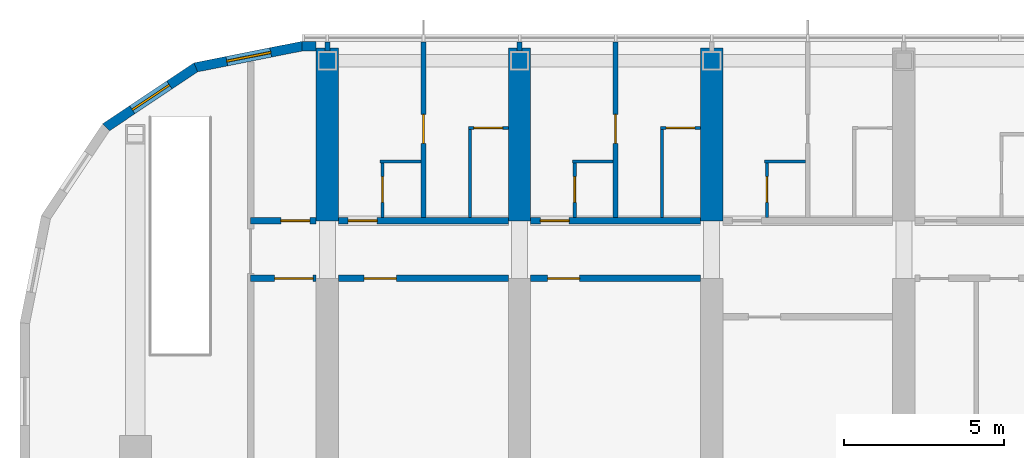
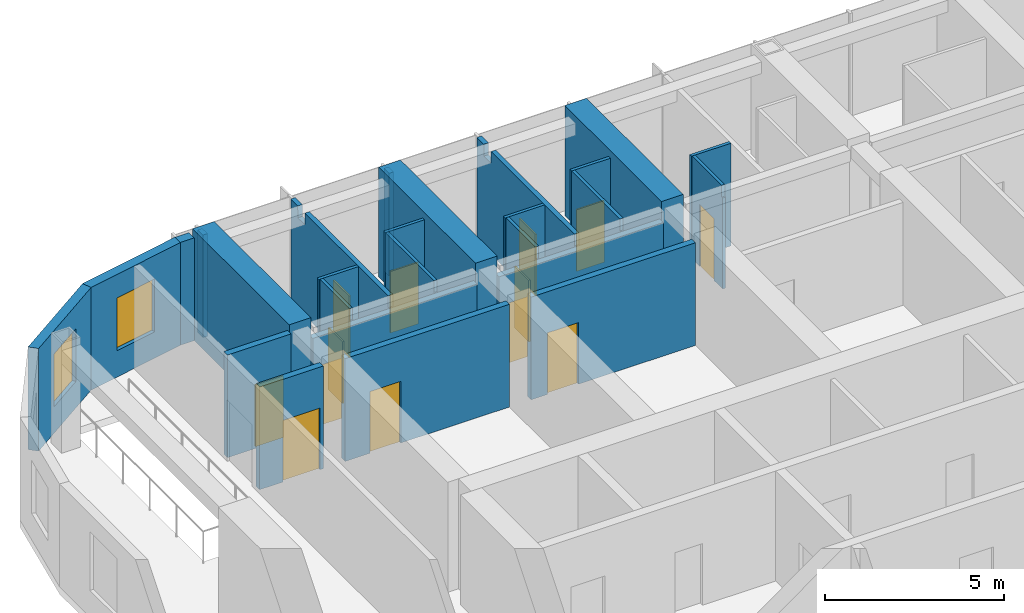
# One storey, part 16 of 24: 26 walls, 13 doors, 2 windows, 15 openings.
"""IFC4 building model written with IfcOpenShell, lengths in metres."""

from ifc_helpers import new_model, si_unit, direction, frame, frame_2d, origin, place, context, subcontext, project, spatial, polyline, rectangle, outline, extrude, material, layer, layer_set, type_object, element, fill, save


model = new_model("IFC4")

# Units and contexts
model_context = context("Model", 3, precision=1e-05, world=origin(), true_north=direction((0.0, 1.0)))
body_context = subcontext(model_context, "Body", "Model", "MODEL_VIEW")
ifc_project = project(units=[si_unit("LENGTHUNIT", "METRE"), si_unit("AREAUNIT", "SQUARE_METRE"), si_unit("VOLUMEUNIT", "CUBIC_METRE"), si_unit("PLANEANGLEUNIT", "RADIAN"), si_unit("MASSUNIT", "GRAM", prefix="KILO")], contexts=[model_context])

# Site, building, storey
site_placement = place(None, origin())
site = spatial("IfcSite", under=ifc_project, at=site_placement, CompositionType="ELEMENT")
building_placement = place(site_placement, origin())
building = spatial("IfcBuilding", under=site, at=building_placement, Name="Orbita Commons", CompositionType="ELEMENT")
storey_placement = place(building_placement, frame((0.0, 0.0, 235.300048828125)))
storey = spatial("IfcBuildingStorey", under=building, at=storey_placement, Name="L58", CompositionType="ELEMENT", Elevation=235.300048828125)

# Wall, opening, door
ifc_material_1 = material(Name="Concrete blockwork", Category="masonry")
ifc_layer_1 = layer(ifc_material_1, 0.199951171875)
ifc_layer_set_1 = layer_set([ifc_layer_1], Name="Concrete blockwork")
wall_type_1 = type_object("IfcWallType", Name="Corridor wall 200 blockwork", PredefinedType="SOLIDWALL", material=ifc_layer_set_1)
wall_1_placement = place(storey_placement, frame((15.60009765625, 47.39990234375, 0.0), z_axis=(0.0, 0.0, 1.0), x_axis=(1.0, 0.0, 0.0)))
wall_1 = element("IfcWall", 1, at=wall_1_placement, inside=storey, type_object=wall_type_1, Name="Corridor wall 200 blockwork L58", PredefinedType="SOLIDWALL", context=body_context, shape_type="SweptSolid", body=[
    extrude(rectangle(XDim=2.0498046875, YDim=0.199951171875, at=frame_2d((1.02490234375, 0.0))), origin(), (0.0, 0.0, 1.0), 3.5),
])
opening_1_placement = place(wall_1_placement, frame((0.949951171875, 0.0, 0.0)))
opening_1 = element("IfcOpeningElement", 2, at=opening_1_placement, cuts=wall_1, Name="Opening D05", PredefinedType="OPENING", context=body_context, shape_type="SweptSolid", body=[
    extrude(rectangle(XDim=0.89990234375, YDim=2.10009765625, at=frame_2d((0.449951171875, 1.050048828125))), frame((0.0, 0.10986328125, 0.0), z_axis=(0.0, -1.0, 0.0), x_axis=(1.0, 0.0, 0.0)), (0.0, 0.0, 1.0), 0.219970703125),
])
ifc_material_2 = material(Name="Steel-faced fire door leaf", Category="steel")
door_type_1 = type_object("IfcDoorType", Name="Service door 20 min 900x2100", OperationType="SINGLE_SWING_LEFT", PredefinedType="DOOR", material=ifc_material_2)
door_1_placement = place(opening_1_placement, origin())
door_1 = element("IfcDoor", 3, at=door_1_placement, inside=storey, type_object=door_type_1, Name="Linen store L58-KWN door", OperationType="SINGLE_SWING_LEFT", OverallHeight=2.10009765625, OverallWidth=0.89990234375, PredefinedType="DOOR", context=body_context, shape_type="SweptSolid", body=[
    extrude(rectangle(XDim=0.89990234375, YDim=2.10009765625, at=frame_2d((0.449951171875, 1.050048828125))), frame((0.0, 0.02490234375, 0.0), z_axis=(0.0, -1.0, 0.0), x_axis=(1.0, 0.0, 0.0)), (0.0, 0.0, 1.0), 0.050048828125),
])
fill(opening_1, door_1)

wall_2_placement = place(storey_placement, frame((18.35009765625, 47.39990234375, 0.0), z_axis=(0.0, 0.0, 1.0), x_axis=(1.0, 0.0, 0.0)))
wall_2 = element("IfcWall", 4, at=wall_2_placement, inside=storey, type_object=wall_type_1, Name="Corridor wall 200 blockwork L58", PredefinedType="SOLIDWALL", context=body_context, shape_type="SweptSolid", body=[
    extrude(outline(polyline([(0.0, 0.0), (5.2998046875, 0.0), (5.300048828125, 3.099853515625), (0.0, 3.099853515625), (0.0, 0.0)])), frame((0.0, 0.10009765625, 0.0), z_axis=(0.0, -1.0, 0.0), x_axis=(1.0, 0.0, 0.0)), (0.0, 0.0, 1.0), 0.199951171875),
])
opening_2_placement = place(wall_2_placement, frame((0.300048828125, 0.0, 0.0)))
opening_2 = element("IfcOpeningElement", 5, at=opening_2_placement, cuts=wall_2, Name="Opening D11", PredefinedType="OPENING", context=body_context, shape_type="SweptSolid", body=[
    extrude(rectangle(XDim=0.89990234375, YDim=2.10009765625, at=frame_2d((0.449951171875, 1.050048828125))), frame((0.0, 0.10986328125, 0.0), z_axis=(0.0, -1.0, 0.0), x_axis=(1.0, 0.0, 0.0)), (0.0, 0.0, 1.0), 0.219970703125),
])
ifc_material_3 = material(Name="Steel-faced fire door leaf", Category="steel")
door_type_2 = type_object("IfcDoorType", Name="Corridor door 20 min 900x2100", OperationType="SINGLE_SWING_LEFT", PredefinedType="DOOR", material=ifc_material_3)
door_2_placement = place(opening_2_placement, origin())
door_2 = element("IfcDoor", 6, at=door_2_placement, inside=storey, type_object=door_type_2, Name="Guest suite sitting room and kitchenette L58-N00 entrance door", OperationType="SINGLE_SWING_LEFT", OverallHeight=2.10009765625, OverallWidth=0.89990234375, PredefinedType="DOOR", context=body_context, shape_type="SweptSolid", body=[
    extrude(rectangle(XDim=0.89990234375, YDim=2.10009765625, at=frame_2d((0.449951171875, 1.050048828125))), frame((0.0, 0.02490234375, 0.0), z_axis=(0.0, -1.0, 0.0), x_axis=(1.0, 0.0, 0.0)), (0.0, 0.0, 1.0), 0.050048828125),
])
fill(opening_2, door_2)

wall_3_placement = place(storey_placement, frame((24.35009765625, 47.39990234375, 0.0), z_axis=(0.0, 0.0, 1.0), x_axis=(1.0, 0.0, 0.0)))
wall_3 = element("IfcWall", 7, at=wall_3_placement, inside=storey, type_object=wall_type_1, Name="Corridor wall 200 blockwork L58", PredefinedType="SOLIDWALL", context=body_context, shape_type="SweptSolid", body=[
    extrude(outline(polyline([(0.0, 0.0), (5.2998046875, 0.0), (5.300048828125, 3.099853515625), (0.0, 3.099853515625), (0.0, 0.0)])), frame((0.0, 0.10009765625, 0.0), z_axis=(0.0, -1.0, 0.0), x_axis=(1.0, 0.0, 0.0)), (0.0, 0.0, 1.0), 0.199951171875),
])
opening_3_placement = place(wall_3_placement, frame((0.300048828125, 0.0, 0.0)))
opening_3 = element("IfcOpeningElement", 8, at=opening_3_placement, cuts=wall_3, Name="Opening D11", PredefinedType="OPENING", context=body_context, shape_type="SweptSolid", body=[
    extrude(rectangle(XDim=0.89990234375, YDim=2.10009765625, at=frame_2d((0.449951171875, 1.050048828125))), frame((0.0, 0.10986328125, 0.0), z_axis=(0.0, -1.0, 0.0), x_axis=(1.0, 0.0, 0.0)), (0.0, 0.0, 1.0), 0.219970703125),
])
door_3_placement = place(opening_3_placement, origin())
door_3 = element("IfcDoor", 9, at=door_3_placement, inside=storey, type_object=door_type_2, Name="Guest suite sitting room and kitchenette L58-N02 entrance door", OperationType="SINGLE_SWING_LEFT", OverallHeight=2.10009765625, OverallWidth=0.89990234375, PredefinedType="DOOR", context=body_context, shape_type="SweptSolid", body=[
    extrude(rectangle(XDim=0.89990234375, YDim=2.10009765625, at=frame_2d((0.449951171875, 1.050048828125))), frame((0.0, 0.02490234375, 0.0), z_axis=(0.0, -1.0, 0.0), x_axis=(1.0, 0.0, 0.0)), (0.0, 0.0, 1.0), 0.050048828125),
])
fill(opening_3, door_3)

ifc_material_4 = material(Name="Hollow concrete block 200", Category="concrete")
ifc_layer_2 = layer(ifc_material_4, 0.199951171875)
ifc_layer_set_2 = layer_set([ifc_layer_2], Name="Hollow concrete block 200")
wall_type_2 = type_object("IfcWallType", Name="Corridor wall 200 hollow concrete block", PredefinedType="SOLIDWALL", material=ifc_layer_set_2)
wall_4_placement = place(storey_placement, frame((15.60009765625, 45.60009765625, 0.0), z_axis=(0.0, 0.0, 1.0), x_axis=(1.0, 0.0, 0.0)))
wall_4 = element("IfcWall", 10, at=wall_4_placement, inside=storey, type_object=wall_type_2, Name="Corridor wall 200 hollow concrete block L58", PredefinedType="SOLIDWALL", context=body_context, shape_type="SweptSolid", body=[
    extrude(rectangle(XDim=2.0498046875, YDim=0.199951171875, at=frame_2d((1.02490234375, 0.0))), origin(), (0.0, 0.0, 1.0), 3.5),
])
opening_4_placement = place(wall_4_placement, frame((0.75, 0.0, 0.0)))
opening_4 = element("IfcOpeningElement", 11, at=opening_4_placement, cuts=wall_4, Name="Opening D12", PredefinedType="OPENING", context=body_context, shape_type="SweptSolid", body=[
    extrude(rectangle(XDim=1.199951171875, YDim=2.10009765625, at=frame_2d((0.60009765625, 1.050048828125))), frame((0.0, 0.10986328125, 0.0), z_axis=(0.0, -1.0, 0.0), x_axis=(1.0, 0.0, 0.0)), (0.0, 0.0, 1.0), 0.219970703125),
])
ifc_material_5 = material(Name="Steel-faced fire door leaf", Category="steel")
door_type_3 = type_object("IfcDoorType", Name="Double corridor door 20 min 1200x2100", OperationType="DOUBLE_DOOR_SINGLE_SWING", PredefinedType="DOOR", material=ifc_material_5)
door_4_placement = place(opening_4_placement, origin())
door_4 = element("IfcDoor", 12, at=door_4_placement, inside=storey, type_object=door_type_3, Name="Cross corridor doors", OperationType="DOUBLE_DOOR_SINGLE_SWING", OverallHeight=2.10009765625, OverallWidth=1.199951171875, PredefinedType="DOOR", context=body_context, shape_type="SweptSolid", body=[
    extrude(rectangle(XDim=1.199951171875, YDim=2.10009765625, at=frame_2d((0.60009765625, 1.050048828125))), frame((0.0, 0.02490234375, 0.0), z_axis=(0.0, -1.0, 0.0), x_axis=(1.0, 0.0, 0.0)), (0.0, 0.0, 1.0), 0.050048828125),
])
fill(opening_4, door_4)

wall_5_placement = place(storey_placement, frame((18.35009765625, 45.60009765625, 0.0), z_axis=(0.0, 0.0, 1.0), x_axis=(1.0, 0.0, 0.0)))
wall_5 = element("IfcWall", 13, at=wall_5_placement, inside=storey, type_object=wall_type_2, Name="Corridor wall 200 hollow concrete block L58", PredefinedType="SOLIDWALL", context=body_context, shape_type="SweptSolid", body=[
    extrude(rectangle(XDim=5.2998046875, YDim=0.199951171875, at=frame_2d((2.64990234375, 0.0))), origin(), (0.0, 0.0, 1.0), 3.5),
])
opening_5_placement = place(wall_5_placement, frame((0.800048828125, 0.0, 0.0)))
opening_5 = element("IfcOpeningElement", 14, at=opening_5_placement, cuts=wall_5, Name="Opening D06", PredefinedType="OPENING", context=body_context, shape_type="SweptSolid", body=[
    extrude(rectangle(XDim=1.0, YDim=2.10009765625, at=frame_2d((0.5, 1.050048828125))), frame((0.0, 0.10986328125, 0.0), z_axis=(0.0, -1.0, 0.0), x_axis=(1.0, 0.0, 0.0)), (0.0, 0.0, 1.0), 0.219970703125),
])
ifc_material_6 = material(Name="Steel-faced fire door leaf", Category="steel")
door_type_4 = type_object("IfcDoorType", Name="Corridor door 20 min 1000x2100", OperationType="SINGLE_SWING_LEFT", PredefinedType="DOOR", material=ifc_material_6)
door_5_placement = place(opening_5_placement, origin())
door_5 = element("IfcDoor", 15, at=door_5_placement, inside=storey, type_object=door_type_4, Name="Refuse and recycling room L58-BDN18 door", OperationType="SINGLE_SWING_LEFT", OverallHeight=2.10009765625, OverallWidth=1.0, PredefinedType="DOOR", context=body_context, shape_type="SweptSolid", body=[
    extrude(rectangle(XDim=1.0, YDim=2.10009765625, at=frame_2d((0.5, 1.050048828125))), frame((0.0, 0.02490234375, 0.0), z_axis=(0.0, -1.0, 0.0), x_axis=(1.0, 0.0, 0.0)), (0.0, 0.0, 1.0), 0.050048828125),
])
fill(opening_5, door_5)

wall_6_placement = place(storey_placement, frame((24.35009765625, 45.60009765625, 0.0), z_axis=(0.0, 0.0, 1.0), x_axis=(1.0, 0.0, 0.0)))
wall_6 = element("IfcWall", 16, at=wall_6_placement, inside=storey, type_object=wall_type_2, Name="Corridor wall 200 hollow concrete block L58", PredefinedType="SOLIDWALL", context=body_context, shape_type="SweptSolid", body=[
    extrude(rectangle(XDim=5.2998046875, YDim=0.199951171875, at=frame_2d((2.64990234375, 0.0))), origin(), (0.0, 0.0, 1.0), 3.5),
])
opening_6_placement = place(wall_6_placement, frame((0.52490234375, 0.0, 0.0)))
opening_6 = element("IfcOpeningElement", 17, at=opening_6_placement, cuts=wall_6, Name="Opening D06", PredefinedType="OPENING", context=body_context, shape_type="SweptSolid", body=[
    extrude(rectangle(XDim=1.0, YDim=2.10009765625, at=frame_2d((0.5, 1.050048828125))), frame((0.0, 0.10986328125, 0.0), z_axis=(0.0, -1.0, 0.0), x_axis=(1.0, 0.0, 0.0)), (0.0, 0.0, 1.0), 0.219970703125),
])
door_6_placement = place(opening_6_placement, origin())
door_6 = element("IfcDoor", 18, at=door_6_placement, inside=storey, type_object=door_type_4, Name="Bulk storage room L58-BDN24 door", OperationType="SINGLE_SWING_LEFT", OverallHeight=2.10009765625, OverallWidth=1.0, PredefinedType="DOOR", context=body_context, shape_type="SweptSolid", body=[
    extrude(rectangle(XDim=1.0, YDim=2.10009765625, at=frame_2d((0.5, 1.050048828125))), frame((0.0, 0.02490234375, 0.0), z_axis=(0.0, -1.0, 0.0), x_axis=(1.0, 0.0, 0.0)), (0.0, 0.0, 1.0), 0.050048828125),
])
fill(opening_6, door_6)

# Walls
ifc_material_7 = material(Name="Concrete C50/60", Category="concrete")
ifc_layer_3 = layer(ifc_material_7, 0.699951171875)
ifc_layer_set_3 = layer_set([ifc_layer_3], Name="Concrete C50/60")
wall_type_3 = type_object("IfcWallType", Name="Cross wall 700 C50/60", PredefinedType="SHEAR", material=ifc_layer_set_3)
for number, where, z_axis, x_axis, name in (
    (19, (18.0, 47.39990234375, 0.0), (0.0, 0.0, 1.0), (0.0, 1.0, 0.0), "Cross wall 4 north outer L58"),
    (20, (24.0, 47.39990234375, 0.0), (0.0, 0.0, 1.0), (0.0, 1.0, 0.0), "Cross wall 5 north outer L58"),
    (21, (30.0, 47.39990234375, 0.0), (0.0, 0.0, 1.0), (0.0, 1.0, 0.0), "Cross wall 6 north outer L58"),
):
    element("IfcWall", number, at=place(storey_placement, frame(where, z_axis=z_axis, x_axis=x_axis)), inside=storey, type_object=wall_type_3, Name=name, PredefinedType="SHEAR", context=body_context, shape_type="SweptSolid", body=[
        extrude(rectangle(XDim=5.400146484375, YDim=0.699951171875, at=frame_2d((2.7001953125, 0.0))), origin(), (0.0, 0.0, 1.0), 3.75),
    ])

# Wall, opening, door
ifc_material_8 = material(Name="Moisture-resistant plasterboard on steel studs", Category="steel")
ifc_layer_4 = layer(ifc_material_8, 0.10009765625)
ifc_layer_set_4 = layer_set([ifc_layer_4], Name="Moisture-resistant plasterboard on steel studs")
wall_type_4 = type_object("IfcWallType", Name="En-suite partition 100", PredefinedType="PARTITIONING", material=ifc_layer_set_4)
wall_7_placement = place(storey_placement, frame((22.39990234375, 50.300048828125, 0.0), z_axis=(0.0, 0.0, 1.0), x_axis=(1.0, 0.0, 0.0)))
wall_7 = element("IfcWall", 22, at=wall_7_placement, inside=storey, type_object=wall_type_4, Name="En-suite partition 100 L58", PredefinedType="PARTITIONING", context=body_context, shape_type="SweptSolid", body=[
    extrude(rectangle(XDim=1.25, YDim=0.10009765625, at=frame_2d((0.625, 0.0))), origin(), (0.0, 0.0, 1.0), 3.5),
])
opening_7_placement = place(wall_7_placement, frame((0.175048828125, 0.0, 0.0)))
opening_7 = element("IfcOpeningElement", 23, at=opening_7_placement, cuts=wall_7, Name="Opening D09", PredefinedType="OPENING", context=body_context, shape_type="SweptSolid", body=[
    extrude(rectangle(XDim=0.89990234375, YDim=2.10009765625, at=frame_2d((0.449951171875, 1.050048828125))), frame((0.0, 0.06005859375, 0.0), z_axis=(0.0, -1.0, 0.0), x_axis=(1.0, 0.0, 0.0)), (0.0, 0.0, 1.0), 0.1201171875),
])
ifc_material_9 = material(Name="Laminated timber door leaf", Category="wood")
door_type_5 = type_object("IfcDoorType", Name="En-suite door 900x2100", OperationType="SINGLE_SWING_RIGHT", PredefinedType="DOOR", material=ifc_material_9)
door_7_placement = place(opening_7_placement, origin())
door_7 = element("IfcDoor", 24, at=door_7_placement, inside=storey, type_object=door_type_5, Name="En-suite L58-N01 door", OperationType="SINGLE_SWING_RIGHT", OverallHeight=2.10009765625, OverallWidth=0.89990234375, PredefinedType="DOOR", context=body_context, shape_type="SweptSolid", body=[
    extrude(rectangle(XDim=0.89990234375, YDim=2.10009765625, at=frame_2d((0.449951171875, 1.050048828125))), frame((0.0, 0.02490234375, 0.0), z_axis=(0.0, -1.0, 0.0), x_axis=(1.0, 0.0, 0.0)), (0.0, 0.0, 1.0), 0.050048828125),
])
fill(opening_7, door_7)

# Walls
wall_8_placement = place(storey_placement, frame((22.449951171875, 50.25, 0.0), z_axis=(0.0, 0.0, 1.0), x_axis=(0.0, -1.0, 0.0)))
element("IfcWall", 25, at=wall_8_placement, inside=storey, type_object=wall_type_4, Name="En-suite partition 100 L58", PredefinedType="PARTITIONING", context=body_context, shape_type="SweptSolid", body=[
    extrude(outline(polyline([(0.0, 0.0), (2.75, 0.0), (2.75, 3.099853515625), (2.701904296875, 3.099853515625), (2.699951171875, 3.5), (0.0, 3.5), (0.0, 0.0)])), frame((0.0, 0.050048828125, 0.0), z_axis=(0.0, -1.0, 0.0), x_axis=(1.0, 0.0, 0.0)), (0.0, 0.0, 1.0), 0.10009765625),
])
wall_9_placement = place(storey_placement, frame((19.64990234375, 49.25, 0.0), z_axis=(0.0, 0.0, 1.0), x_axis=(1.0, 0.0, 0.0)))
element("IfcWall", 26, at=wall_9_placement, inside=storey, type_object=wall_type_4, Name="En-suite partition 100 L58", PredefinedType="PARTITIONING", context=body_context, shape_type="SweptSolid", body=[
    extrude(rectangle(XDim=1.275146484375, YDim=0.10009765625, at=frame_2d((0.6376953125, 0.0))), origin(), (0.0, 0.0, 1.0), 3.5),
])

# Wall, opening, door
wall_10_placement = place(storey_placement, frame((19.72509765625, 49.25, 0.0), z_axis=(0.0, 0.0, 1.0), x_axis=(0.0, -1.0, 0.0)))
wall_10 = element("IfcWall", 27, at=wall_10_placement, inside=storey, type_object=wall_type_4, Name="En-suite partition 100 L58", PredefinedType="PARTITIONING", context=body_context, shape_type="SweptSolid", body=[
    extrude(outline(polyline([(0.0, 0.0), (1.75, 0.0), (1.75, 3.099853515625), (1.701904296875, 3.099853515625), (1.699951171875, 3.5), (0.0, 3.5), (0.0, 0.0)])), frame((0.0, 0.050048828125, 0.0), z_axis=(0.0, -1.0, 0.0), x_axis=(1.0, 0.0, 0.0)), (0.0, 0.0, 1.0), 0.10009765625),
])
opening_8_placement = place(wall_10_placement, frame((0.47509765625, 0.0, 0.0)))
opening_8 = element("IfcOpeningElement", 28, at=opening_8_placement, cuts=wall_10, Name="Opening D16", PredefinedType="OPENING", context=body_context, shape_type="SweptSolid", body=[
    extrude(rectangle(XDim=0.800048828125, YDim=2.10009765625, at=frame_2d((0.39990234375, 1.050048828125))), frame((0.0, 0.06005859375, 0.0), z_axis=(0.0, -1.0, 0.0), x_axis=(1.0, 0.0, 0.0)), (0.0, 0.0, 1.0), 0.1201171875),
])
ifc_material_10 = material(Name="Laminated timber door leaf", Category="wood")
door_type_6 = type_object("IfcDoorType", Name="En-suite door 800x2100", OperationType="SINGLE_SWING_RIGHT", PredefinedType="DOOR", material=ifc_material_10)
door_8_placement = place(opening_8_placement, origin())
door_8 = element("IfcDoor", 29, at=door_8_placement, inside=storey, type_object=door_type_6, Name="Guest suite WC L58-N00 door", OperationType="SINGLE_SWING_RIGHT", OverallHeight=2.10009765625, OverallWidth=0.800048828125, PredefinedType="DOOR", context=body_context, shape_type="SweptSolid", body=[
    extrude(rectangle(XDim=0.800048828125, YDim=2.10009765625, at=frame_2d((0.39990234375, 1.050048828125))), frame((0.0, 0.02490234375, 0.0), z_axis=(0.0, -1.0, 0.0), x_axis=(1.0, 0.0, 0.0)), (0.0, 0.0, 1.0), 0.050048828125),
])
fill(opening_8, door_8)

wall_11_placement = place(storey_placement, frame((28.39990234375, 50.300048828125, 0.0), z_axis=(0.0, 0.0, 1.0), x_axis=(1.0, 0.0, 0.0)))
wall_11 = element("IfcWall", 30, at=wall_11_placement, inside=storey, type_object=wall_type_4, Name="En-suite partition 100 L58", PredefinedType="PARTITIONING", context=body_context, shape_type="SweptSolid", body=[
    extrude(rectangle(XDim=1.25, YDim=0.10009765625, at=frame_2d((0.625, 0.0))), origin(), (0.0, 0.0, 1.0), 3.5),
])
opening_9_placement = place(wall_11_placement, frame((0.175048828125, 0.0, 0.0)))
opening_9 = element("IfcOpeningElement", 31, at=opening_9_placement, cuts=wall_11, Name="Opening D09", PredefinedType="OPENING", context=body_context, shape_type="SweptSolid", body=[
    extrude(rectangle(XDim=0.89990234375, YDim=2.10009765625, at=frame_2d((0.449951171875, 1.050048828125))), frame((0.0, 0.06005859375, 0.0), z_axis=(0.0, -1.0, 0.0), x_axis=(1.0, 0.0, 0.0)), (0.0, 0.0, 1.0), 0.1201171875),
])
door_9_placement = place(opening_9_placement, origin())
door_9 = element("IfcDoor", 32, at=door_9_placement, inside=storey, type_object=door_type_5, Name="En-suite L58-N03 door", OperationType="SINGLE_SWING_RIGHT", OverallHeight=2.10009765625, OverallWidth=0.89990234375, PredefinedType="DOOR", context=body_context, shape_type="SweptSolid", body=[
    extrude(rectangle(XDim=0.89990234375, YDim=2.10009765625, at=frame_2d((0.449951171875, 1.050048828125))), frame((0.0, 0.02490234375, 0.0), z_axis=(0.0, -1.0, 0.0), x_axis=(1.0, 0.0, 0.0)), (0.0, 0.0, 1.0), 0.050048828125),
])
fill(opening_9, door_9)

# Walls
wall_12_placement = place(storey_placement, frame((28.449951171875, 50.25, 0.0), z_axis=(0.0, 0.0, 1.0), x_axis=(0.0, -1.0, 0.0)))
element("IfcWall", 33, at=wall_12_placement, inside=storey, type_object=wall_type_4, Name="En-suite partition 100 L58", PredefinedType="PARTITIONING", context=body_context, shape_type="SweptSolid", body=[
    extrude(outline(polyline([(0.0, 0.0), (2.75, 0.0), (2.75, 3.099853515625), (2.701904296875, 3.099853515625), (2.699951171875, 3.5), (0.0, 3.5), (0.0, 0.0)])), frame((0.0, 0.050048828125, 0.0), z_axis=(0.0, -1.0, 0.0), x_axis=(1.0, 0.0, 0.0)), (0.0, 0.0, 1.0), 0.10009765625),
])
wall_13_placement = place(storey_placement, frame((25.64990234375, 49.25, 0.0), z_axis=(0.0, 0.0, 1.0), x_axis=(1.0, 0.0, 0.0)))
element("IfcWall", 34, at=wall_13_placement, inside=storey, type_object=wall_type_4, Name="En-suite partition 100 L58", PredefinedType="PARTITIONING", context=body_context, shape_type="SweptSolid", body=[
    extrude(rectangle(XDim=1.275146484375, YDim=0.10009765625, at=frame_2d((0.6376953125, 0.0))), origin(), (0.0, 0.0, 1.0), 3.5),
])

# Wall, opening, door
wall_14_placement = place(storey_placement, frame((25.72509765625, 49.25, 0.0), z_axis=(0.0, 0.0, 1.0), x_axis=(0.0, -1.0, 0.0)))
wall_14 = element("IfcWall", 35, at=wall_14_placement, inside=storey, type_object=wall_type_4, Name="En-suite partition 100 L58", PredefinedType="PARTITIONING", context=body_context, shape_type="SweptSolid", body=[
    extrude(outline(polyline([(0.0, 0.0), (1.75, 0.0), (1.75, 3.099853515625), (1.701904296875, 3.099853515625), (1.699951171875, 3.5), (0.0, 3.5), (0.0, 0.0)])), frame((0.0, 0.050048828125, 0.0), z_axis=(0.0, -1.0, 0.0), x_axis=(1.0, 0.0, 0.0)), (0.0, 0.0, 1.0), 0.10009765625),
])
opening_10_placement = place(wall_14_placement, frame((0.47509765625, 0.0, 0.0)))
opening_10 = element("IfcOpeningElement", 36, at=opening_10_placement, cuts=wall_14, Name="Opening D16", PredefinedType="OPENING", context=body_context, shape_type="SweptSolid", body=[
    extrude(rectangle(XDim=0.800048828125, YDim=2.10009765625, at=frame_2d((0.39990234375, 1.050048828125))), frame((0.0, 0.06005859375, 0.0), z_axis=(0.0, -1.0, 0.0), x_axis=(1.0, 0.0, 0.0)), (0.0, 0.0, 1.0), 0.1201171875),
])
door_10_placement = place(opening_10_placement, origin())
door_10 = element("IfcDoor", 37, at=door_10_placement, inside=storey, type_object=door_type_6, Name="Guest suite WC L58-N02 door", OperationType="SINGLE_SWING_RIGHT", OverallHeight=2.10009765625, OverallWidth=0.800048828125, PredefinedType="DOOR", context=body_context, shape_type="SweptSolid", body=[
    extrude(rectangle(XDim=0.800048828125, YDim=2.10009765625, at=frame_2d((0.39990234375, 1.050048828125))), frame((0.0, 0.02490234375, 0.0), z_axis=(0.0, -1.0, 0.0), x_axis=(1.0, 0.0, 0.0)), (0.0, 0.0, 1.0), 0.050048828125),
])
fill(opening_10, door_10)

# Wall
wall_15_placement = place(storey_placement, frame((31.64990234375, 49.25, 0.0), z_axis=(0.0, 0.0, 1.0), x_axis=(1.0, 0.0, 0.0)))
element("IfcWall", 38, at=wall_15_placement, inside=storey, type_object=wall_type_4, Name="En-suite partition 100 L58", PredefinedType="PARTITIONING", context=body_context, shape_type="SweptSolid", body=[
    extrude(rectangle(XDim=1.275146484375, YDim=0.10009765625, at=frame_2d((0.6376953125, 0.0))), origin(), (0.0, 0.0, 1.0), 3.5),
])

# Wall, opening, door
wall_16_placement = place(storey_placement, frame((31.72509765625, 49.25, 0.0), z_axis=(0.0, 0.0, 1.0), x_axis=(0.0, -1.0, 0.0)))
wall_16 = element("IfcWall", 39, at=wall_16_placement, inside=storey, type_object=wall_type_4, Name="En-suite partition 100 L58", PredefinedType="PARTITIONING", context=body_context, shape_type="SweptSolid", body=[
    extrude(outline(polyline([(0.0, 0.0), (1.75, 0.0), (1.75, 3.099853515625), (1.701904296875, 3.099853515625), (1.699951171875, 3.5), (0.0, 3.5), (0.0, 0.0)])), frame((0.0, 0.050048828125, 0.0), z_axis=(0.0, -1.0, 0.0), x_axis=(1.0, 0.0, 0.0)), (0.0, 0.0, 1.0), 0.10009765625),
])
opening_11_placement = place(wall_16_placement, frame((0.47509765625, 0.0, 0.0)))
opening_11 = element("IfcOpeningElement", 40, at=opening_11_placement, cuts=wall_16, Name="Opening D16", PredefinedType="OPENING", context=body_context, shape_type="SweptSolid", body=[
    extrude(rectangle(XDim=0.800048828125, YDim=2.10009765625, at=frame_2d((0.39990234375, 1.050048828125))), frame((0.0, 0.06005859375, 0.0), z_axis=(0.0, -1.0, 0.0), x_axis=(1.0, 0.0, 0.0)), (0.0, 0.0, 1.0), 0.1201171875),
])
door_11_placement = place(opening_11_placement, origin())
door_11 = element("IfcDoor", 41, at=door_11_placement, inside=storey, type_object=door_type_6, Name="Guest suite WC L58-N04 door", OperationType="SINGLE_SWING_RIGHT", OverallHeight=2.10009765625, OverallWidth=0.800048828125, PredefinedType="DOOR", context=body_context, shape_type="SweptSolid", body=[
    extrude(rectangle(XDim=0.800048828125, YDim=2.10009765625, at=frame_2d((0.39990234375, 1.050048828125))), frame((0.0, 0.02490234375, 0.0), z_axis=(0.0, -1.0, 0.0), x_axis=(1.0, 0.0, 0.0)), (0.0, 0.0, 1.0), 0.050048828125),
])
fill(opening_11, door_11)

ifc_material_11 = material(Name="Gypsum plasterboard on steel studs", Category="steel")
ifc_layer_5 = layer(ifc_material_11, 0.14990234375)
ifc_layer_set_5 = layer_set([ifc_layer_5], Name="Gypsum plasterboard on steel studs")
wall_type_5 = type_object("IfcWallType", Name="Partition 150 plasterboard", PredefinedType="PARTITIONING", material=ifc_layer_set_5)
wall_17_placement = place(storey_placement, frame((21.0, 52.989990234375, 0.0), z_axis=(0.0, 0.0, 1.0), x_axis=(0.0, -1.0, 0.0)))
wall_17 = element("IfcWall", 42, at=wall_17_placement, inside=storey, type_object=wall_type_5, Name="Partition 150 plasterboard L58", PredefinedType="PARTITIONING", context=body_context, shape_type="SweptSolid", body=[
    extrude(outline(polyline([(0.0, 0.0), (5.489990234375, 0.0), (5.489990234375, 3.099853515625), (5.44189453125, 3.099853515625), (5.43994140625, 3.5), (0.7919921875, 3.5), (0.7900390625, 3.099853515625), (0.39208984375, 3.099853515625), (0.389892578125, 3.5), (0.0, 3.5), (0.0, 0.0)])), frame((0.0, 0.074951171875, 0.0), z_axis=(0.0, -1.0, 0.0), x_axis=(1.0, 0.0, 0.0)), (0.0, 0.0, 1.0), 0.14990234375),
])
opening_12_placement = place(wall_17_placement, frame((2.27001953125, 0.0, 0.0)))
opening_12 = element("IfcOpeningElement", 43, at=opening_12_placement, cuts=wall_17, Name="Opening D09", PredefinedType="OPENING", context=body_context, shape_type="SweptSolid", body=[
    extrude(rectangle(XDim=0.89990234375, YDim=2.10009765625, at=frame_2d((0.449951171875, 1.050048828125))), frame((0.0, 0.0849609375, 0.0), z_axis=(0.0, -1.0, 0.0), x_axis=(1.0, 0.0, 0.0)), (0.0, 0.0, 1.0), 0.169921875),
])
door_12_placement = place(opening_12_placement, origin())
door_12 = element("IfcDoor", 44, at=door_12_placement, inside=storey, type_object=door_type_5, Name="Guest suite bedroom L58-N00 door", OperationType="SINGLE_SWING_RIGHT", OverallHeight=2.10009765625, OverallWidth=0.89990234375, PredefinedType="DOOR", context=body_context, shape_type="SweptSolid", body=[
    extrude(rectangle(XDim=0.89990234375, YDim=2.10009765625, at=frame_2d((0.449951171875, 1.050048828125))), frame((0.0, 0.02490234375, 0.0), z_axis=(0.0, -1.0, 0.0), x_axis=(1.0, 0.0, 0.0)), (0.0, 0.0, 1.0), 0.050048828125),
])
fill(opening_12, door_12)

wall_18_placement = place(storey_placement, frame((27.0, 52.989990234375, 0.0), z_axis=(0.0, 0.0, 1.0), x_axis=(0.0, -1.0, 0.0)))
wall_18 = element("IfcWall", 45, at=wall_18_placement, inside=storey, type_object=wall_type_5, Name="Partition 150 plasterboard L58", PredefinedType="PARTITIONING", context=body_context, shape_type="SweptSolid", body=[
    extrude(outline(polyline([(0.0, 0.0), (5.489990234375, 0.0), (5.489990234375, 3.099853515625), (5.44189453125, 3.099853515625), (5.43994140625, 3.5), (0.7919921875, 3.5), (0.7900390625, 3.099853515625), (0.39208984375, 3.099853515625), (0.389892578125, 3.5), (0.0, 3.5), (0.0, 0.0)])), frame((0.0, 0.074951171875, 0.0), z_axis=(0.0, -1.0, 0.0), x_axis=(1.0, 0.0, 0.0)), (0.0, 0.0, 1.0), 0.14990234375),
])
opening_13_placement = place(wall_18_placement, frame((2.27001953125, 0.0, 0.0)))
opening_13 = element("IfcOpeningElement", 46, at=opening_13_placement, cuts=wall_18, Name="Opening D09", PredefinedType="OPENING", context=body_context, shape_type="SweptSolid", body=[
    extrude(rectangle(XDim=0.89990234375, YDim=2.10009765625, at=frame_2d((0.449951171875, 1.050048828125))), frame((0.0, 0.0849609375, 0.0), z_axis=(0.0, -1.0, 0.0), x_axis=(1.0, 0.0, 0.0)), (0.0, 0.0, 1.0), 0.169921875),
])
door_13_placement = place(opening_13_placement, origin())
door_13 = element("IfcDoor", 47, at=door_13_placement, inside=storey, type_object=door_type_5, Name="Guest suite bedroom L58-N02 door", OperationType="SINGLE_SWING_RIGHT", OverallHeight=2.10009765625, OverallWidth=0.89990234375, PredefinedType="DOOR", context=body_context, shape_type="SweptSolid", body=[
    extrude(rectangle(XDim=0.89990234375, YDim=2.10009765625, at=frame_2d((0.449951171875, 1.050048828125))), frame((0.0, 0.02490234375, 0.0), z_axis=(0.0, -1.0, 0.0), x_axis=(1.0, 0.0, 0.0)), (0.0, 0.0, 1.0), 0.050048828125),
])
fill(opening_13, door_13)

# Walls
for number, where, z_axis, x_axis, name in (
    (48, (18.0, 52.699951171875, 0.0), (0.0, 0.0, 1.0), (0.0, 1.0, 0.0), "Partition 150 plasterboard L58"),
    (49, (24.0, 52.699951171875, 0.0), (0.0, 0.0, 1.0), (0.0, 1.0, 0.0), "Partition 150 plasterboard L58"),
):
    element("IfcWall", number, at=place(storey_placement, frame(where, z_axis=z_axis, x_axis=x_axis)), inside=storey, type_object=wall_type_5, Name=name, PredefinedType="PARTITIONING", context=body_context, shape_type="SweptSolid", body=[
        extrude(rectangle(XDim=0.2900390625, YDim=0.14990234375, at=frame_2d((0.14501953125, 0.0))), origin(), (0.0, 0.0, 1.0), 3.5),
    ])

# Wall, opening, window
ifc_material_12 = material(Name="Precast concrete C40/50, white board-marked finish", Category="concrete")
ifc_layer_6 = layer(ifc_material_12, 0.300048828125)
ifc_layer_set_6 = layer_set([ifc_layer_6], Name="Precast concrete C40/50, white board-marked finish")
wall_type_6 = type_object("IfcWallType", Name="Precast concrete end shield 300", PredefinedType="SOLIDWALL", material=ifc_layer_set_6)
wall_19_placement = place(storey_placement, frame((17.199951171875, 52.85009765625, 0.0), z_axis=(0.0, 0.0, 1.0), x_axis=(-0.98078325777, -0.195100490205, 0.0)))
wall_19 = element("IfcWall", 50, at=wall_19_placement, inside=storey, type_object=wall_type_6, Name="End shield NW chord 1 L58", PredefinedType="SOLIDWALL", context=body_context, shape_type="SweptSolid", body=[
    extrude(outline(polyline([(-0.02978515625, -0.14990234375), (3.40478515625, -0.14990234375), (3.34521484375, 0.14990234375), (0.02978515625, 0.14990234375), (-0.02978515625, -0.14990234375)])), origin(), (0.0, 0.0, 1.0), 3.5),
])
opening_14_placement = place(wall_19_placement, frame((0.987548828125, 0.0, 0.89990234375)))
opening_14 = element("IfcOpeningElement", 51, at=opening_14_placement, cuts=wall_19, Name="Opening W02", PredefinedType="OPENING", context=body_context, shape_type="SweptSolid", body=[
    extrude(rectangle(XDim=1.39990234375, YDim=1.800048828125, at=frame_2d((0.699951171875, 0.89990234375))), frame((0.0, 0.159912109375, 0.0), z_axis=(0.0, -1.0, 0.0), x_axis=(1.0, 0.0, 0.0)), (0.0, 0.0, 1.0), 0.320068359375),
])
ifc_material_13 = material(Name="Aluminium frame, clear double glazing", Category="aluminium")
window_type = type_object("IfcWindowType", Name="Deep-set window 1400x1800", PartitioningType="SINGLE_PANEL", PredefinedType="WINDOW", material=ifc_material_13)
window_1_placement = place(opening_14_placement, origin())
window_1 = element("IfcWindow", 52, at=window_1_placement, inside=storey, type_object=window_type, Name="Window L58-NW0", OverallHeight=1.800048828125, OverallWidth=1.39990234375, PartitioningType="SINGLE_PANEL", PredefinedType="WINDOW", context=body_context, shape_type="SweptSolid", body=[
    extrude(rectangle(XDim=1.39990234375, YDim=1.800048828125, at=frame_2d((0.699951171875, 0.89990234375))), frame((0.0, 0.030029296875, 0.0), z_axis=(0.0, -1.0, 0.0), x_axis=(1.0, 0.0, 0.0)), (0.0, 0.0, 1.0), 0.06005859375),
])
fill(opening_14, window_1)

wall_20_placement = place(storey_placement, frame((13.889892578125, 52.191650390625, 0.0), z_axis=(0.0, 0.0, 1.0), x_axis=(-0.831460037396, -0.555584562613, 0.0)))
wall_20 = element("IfcWall", 53, at=wall_20_placement, inside=storey, type_object=wall_type_6, Name="End shield NW chord 2 L58", PredefinedType="SOLIDWALL", context=body_context, shape_type="SweptSolid", body=[
    extrude(outline(polyline([(-0.02978515625, -0.14990234375), (3.405029296875, -0.14990234375), (3.345458984375, 0.14990234375), (0.02978515625, 0.14990234375), (-0.02978515625, -0.14990234375)])), origin(), (0.0, 0.0, 1.0), 3.5),
])
opening_15_placement = place(wall_20_placement, frame((0.987548828125, 0.0, 0.89990234375)))
opening_15 = element("IfcOpeningElement", 54, at=opening_15_placement, cuts=wall_20, Name="Opening W02", PredefinedType="OPENING", context=body_context, shape_type="SweptSolid", body=[
    extrude(rectangle(XDim=1.39990234375, YDim=1.800048828125, at=frame_2d((0.699951171875, 0.89990234375))), frame((0.0, 0.159912109375, 0.0), z_axis=(0.0, -1.0, 0.0), x_axis=(1.0, 0.0, 0.0)), (0.0, 0.0, 1.0), 0.320068359375),
])
window_2_placement = place(opening_15_placement, origin())
window_2 = element("IfcWindow", 55, at=window_2_placement, inside=storey, type_object=window_type, Name="Window L58-NW1", OverallHeight=1.800048828125, OverallWidth=1.39990234375, PartitioningType="SINGLE_PANEL", PredefinedType="WINDOW", context=body_context, shape_type="SweptSolid", body=[
    extrude(rectangle(XDim=1.39990234375, YDim=1.800048828125, at=frame_2d((0.699951171875, 0.89990234375))), frame((0.0, 0.030029296875, 0.0), z_axis=(0.0, -1.0, 0.0), x_axis=(1.0, 0.0, 0.0)), (0.0, 0.0, 1.0), 0.06005859375),
])
fill(opening_15, window_2)

# Wall
wall_21_placement = place(storey_placement, frame((17.199951171875, 52.85009765625, 0.0), z_axis=(0.0, 0.0, 1.0), x_axis=(1.0, 0.0, 0.0)))
element("IfcWall", 56, at=wall_21_placement, inside=storey, type_object=wall_type_6, Name="End shield NW closer L58", PredefinedType="SOLIDWALL", context=body_context, shape_type="SweptSolid", body=[
    extrude(rectangle(XDim=0.449951171875, YDim=0.300048828125, at=frame_2d((0.22509765625, 0.0))), origin(), (0.0, 0.0, 1.0), 3.5),
])

save(model, "model.ifc")
